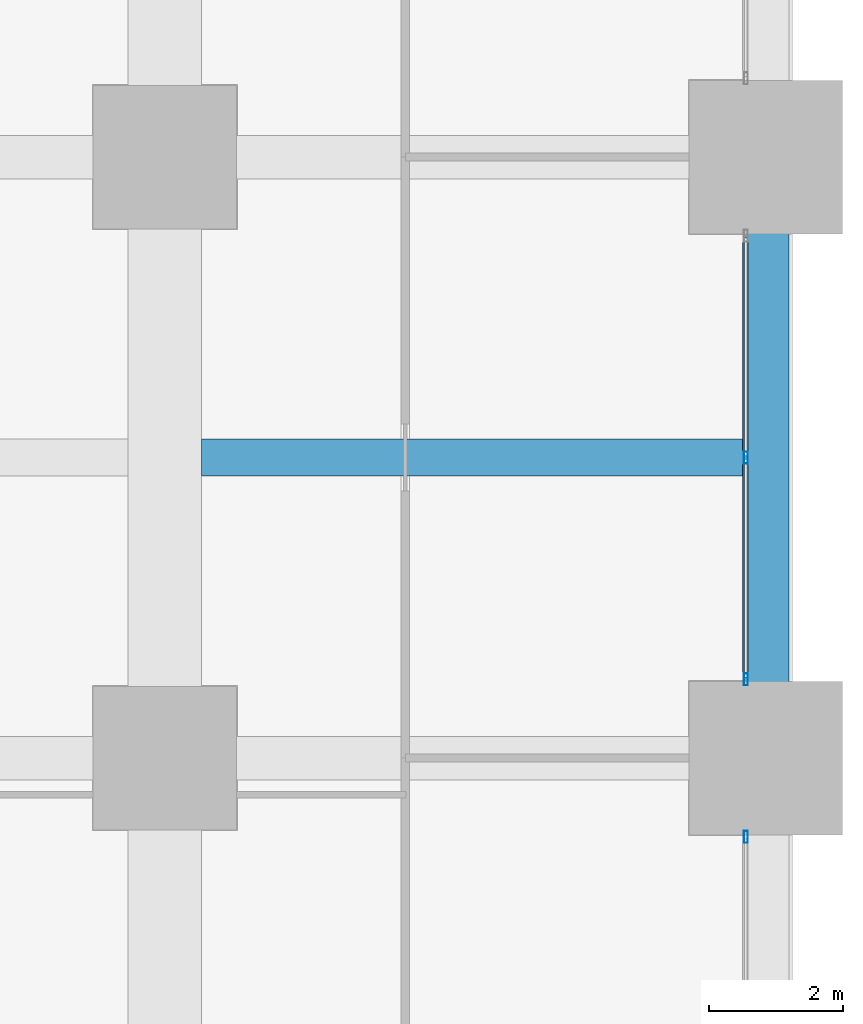
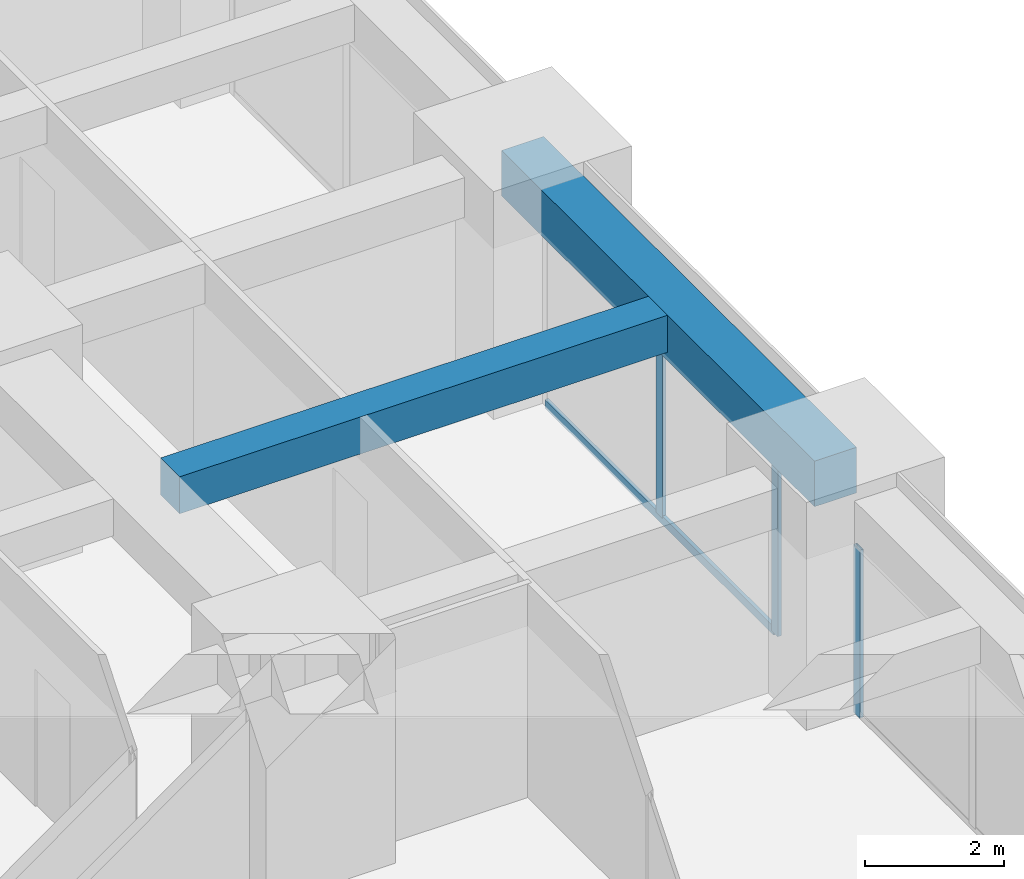
# One storey, part 20 of 44: 4 members, 2 beams, 2 elements without a shape of their own.
"""IFC4 building model written with IfcOpenShell, lengths in metres."""

from ifc_helpers import new_model, si_unit, direction, frame, origin, origin_2d, place, context, subcontext, project, spatial, rectangle, hollow_rectangle, extrude, material, material_profile, profile_set, type_object, element, aggregate, save


model = new_model("IFC4")

# Units and contexts
model_context = context("Model", 3, precision=1e-05, world=origin(), true_north=direction((0.0, 1.0)))
body_context = subcontext(model_context, "Body", "Model", "MODEL_VIEW")
ifc_project = project(units=[si_unit("LENGTHUNIT", "METRE"), si_unit("AREAUNIT", "SQUARE_METRE"), si_unit("VOLUMEUNIT", "CUBIC_METRE"), si_unit("PLANEANGLEUNIT", "RADIAN"), si_unit("MASSUNIT", "GRAM", prefix="KILO")], contexts=[model_context])

# Site, building, storey
site_placement = place(None, origin())
site = spatial("IfcSite", under=ifc_project, at=site_placement, CompositionType="ELEMENT")
building_placement = place(site_placement, origin())
building = spatial("IfcBuilding", under=site, at=building_placement, Name="Zorevar Civic Tower", CompositionType="ELEMENT")
storey_placement = place(building_placement, frame((0.0, 0.0, 55.800048828125)))
storey = spatial("IfcBuildingStorey", under=building, at=storey_placement, Name="L13", CompositionType="ELEMENT", Elevation=55.800048828125)

# Beam
ifc_material_1 = material(Name="Concrete C50/60", Category="concrete")
ifc_material_profile_1 = material_profile(ifc_material_1, rectangle(XDim=0.550048828125, YDim=0.64990234375, at=origin_2d()), Name="RC 550x650")
ifc_profile_set_1 = profile_set([ifc_material_profile_1], Name="Concrete C50/60")
beam_type_1 = type_object("IfcBeamType", Name="Beam RC 550x650", PredefinedType="BEAM", material=ifc_profile_set_1)
beam_1_placement = place(storey_placement, frame((54.550048828125, 22.5, 3.425048828125), z_axis=(1.0, 0.0, 0.0), x_axis=(0.0, 1.0, 0.0)))
element("IfcBeam", 1, at=beam_1_placement, inside=storey, type_object=beam_type_1, Name="Secondary beam L14", PredefinedType="BEAM", context=body_context, shape_type="SweptSolid", body=[
    extrude(rectangle(XDim=0.550048828125, YDim=0.64990234375, at=origin_2d()), origin(), (0.0, 0.0, 1.0), 8.099853515625),
])

# Curtain wall, member
ifc_material_2 = material(Name="Dark grey solar-control glass in black aluminium frame", Category="aluminium")
curtain_wall_type = type_object("IfcCurtainWallType", Name="Curtain wall CW2 low zone", PredefinedType="NOTDEFINED", material=ifc_material_2)
curtain_wall_1_placement = place(storey_placement, origin())
curtain_wall_1 = element("IfcCurtainWall", 2, at=curtain_wall_1_placement, inside=storey, type_object=curtain_wall_type, Name="CW2 L13", PredefinedType="NOTDEFINED")
ifc_material_3 = material(Name="Aluminium, black anodised", Category="aluminium")
ifc_material_profile_2 = material_profile(ifc_material_3, hollow_rectangle(XDim=0.06005859375, YDim=0.179931640625, WallThickness=0.00390625, at=origin_2d()), Name="AL 180x60x4")
ifc_profile_set_2 = profile_set([ifc_material_profile_2], Name="Aluminium, black anodised")
member_type_1 = type_object("IfcMemberType", Name="CW2 mullion AL 180x60x4", PredefinedType="MULLION", material=ifc_profile_set_2)
member_1_placement = place(storey_placement, frame((62.699951171875, 16.820068359375, 0.0), z_axis=(0.0, 0.0, 1.0), x_axis=(-1.0, 0.0, 0.0)))
member_1 = element("IfcMember", 3, at=member_1_placement, type_object=member_type_1, Name="CW2 mullion 3", PredefinedType="MULLION", context=body_context, shape_type="SweptSolid", body=[
    extrude(hollow_rectangle(XDim=0.06005859375, YDim=0.179931640625, WallThickness=0.00390625, at=origin_2d()), origin(), (0.0, 0.0, 1.0), 2.949951171875),
])
aggregate(curtain_wall_1, [member_1])

# Curtain wall, members
curtain_wall_2_placement = place(storey_placement, origin())
curtain_wall_2 = element("IfcCurtainWall", 4, at=curtain_wall_2_placement, inside=storey, type_object=curtain_wall_type, Name="CW2 L13", PredefinedType="NOTDEFINED")
member_2_placement = place(storey_placement, frame((62.699951171875, 19.179931640625, 0.0), z_axis=(0.0, 0.0, 1.0), x_axis=(-1.0, 0.0, 0.0)))
member_2 = element("IfcMember", 5, at=member_2_placement, type_object=member_type_1, Name="CW2 mullion 1", PredefinedType="MULLION", context=body_context, shape_type="SweptSolid", body=[
    extrude(hollow_rectangle(XDim=0.06005859375, YDim=0.179931640625, WallThickness=0.00390625, at=origin_2d()), origin(), (0.0, 0.0, 1.0), 2.949951171875),
])
member_3_placement = place(storey_placement, frame((62.699951171875, 22.5, 0.06005859375), z_axis=(0.0, 0.0, 1.0), x_axis=(-1.0, 0.0, 0.0)))
member_3 = element("IfcMember", 6, at=member_3_placement, type_object=member_type_1, Name="CW2 mullion 2", PredefinedType="MULLION", context=body_context, shape_type="SweptSolid", body=[
    extrude(hollow_rectangle(XDim=0.06005859375, YDim=0.179931640625, WallThickness=0.00390625, at=origin_2d()), origin(), (0.0, 0.0, 1.0), 2.889892578125),
])
ifc_material_4 = material(Name="Aluminium, black anodised", Category="aluminium")
ifc_material_profile_3 = material_profile(ifc_material_4, hollow_rectangle(XDim=0.06005859375, YDim=0.14990234375, WallThickness=0.00390625, at=origin_2d()), Name="AL 150x60x4")
ifc_profile_set_3 = profile_set([ifc_material_profile_3], Name="Aluminium, black anodised")
member_type_2 = type_object("IfcMemberType", Name="CW2 transom AL 150x60x4", PredefinedType="USERDEFINED", material=ifc_profile_set_3)
member_4_placement = place(storey_placement, frame((62.699951171875, 19.2099609375, 0.030029296875), z_axis=(0.0, 1.0, 0.0), x_axis=(-1.0, 0.0, 0.0)))
member_4 = element("IfcMember", 7, at=member_4_placement, type_object=member_type_2, Name="CW2 sill transom", ObjectType="TRANSOM", PredefinedType="USERDEFINED", context=body_context, shape_type="SweptSolid", body=[
    extrude(hollow_rectangle(XDim=0.06005859375, YDim=0.14990234375, WallThickness=0.00390625, at=origin_2d()), origin(), (0.0, 0.0, 1.0), 6.580078125),
])
aggregate(curtain_wall_2, [member_2, member_3, member_4])

# Beam
ifc_material_5 = material(Name="Concrete C50/60", Category="concrete")
ifc_material_profile_4 = material_profile(ifc_material_5, rectangle(XDim=0.699951171875, YDim=0.800048828125, at=origin_2d()), Name="RC 700x800")
ifc_profile_set_4 = profile_set([ifc_material_profile_4], Name="Concrete C50/60")
beam_type_2 = type_object("IfcBeamType", Name="Edge beam RC 700x800", PredefinedType="SPANDREL", material=ifc_profile_set_4)
beam_2_placement = place(storey_placement, frame((63.0, 18.0, 3.349853515625), z_axis=(0.0, 1.0, 0.0), x_axis=(-1.0, 0.0, 0.0)))
element("IfcBeam", 8, at=beam_2_placement, inside=storey, type_object=beam_type_2, Name="Edge beam L14", PredefinedType="SPANDREL", context=body_context, shape_type="SweptSolid", body=[
    extrude(rectangle(XDim=0.699951171875, YDim=0.800048828125, at=origin_2d()), origin(), (0.0, 0.0, 1.0), 9.0),
])

save(model, "model.ifc")
